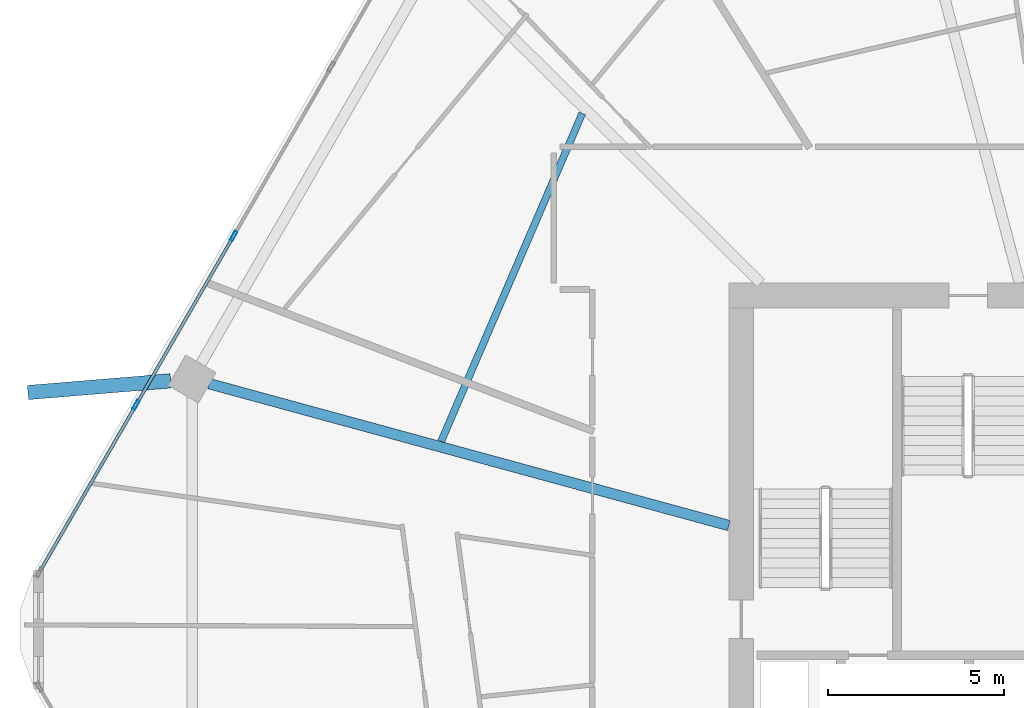
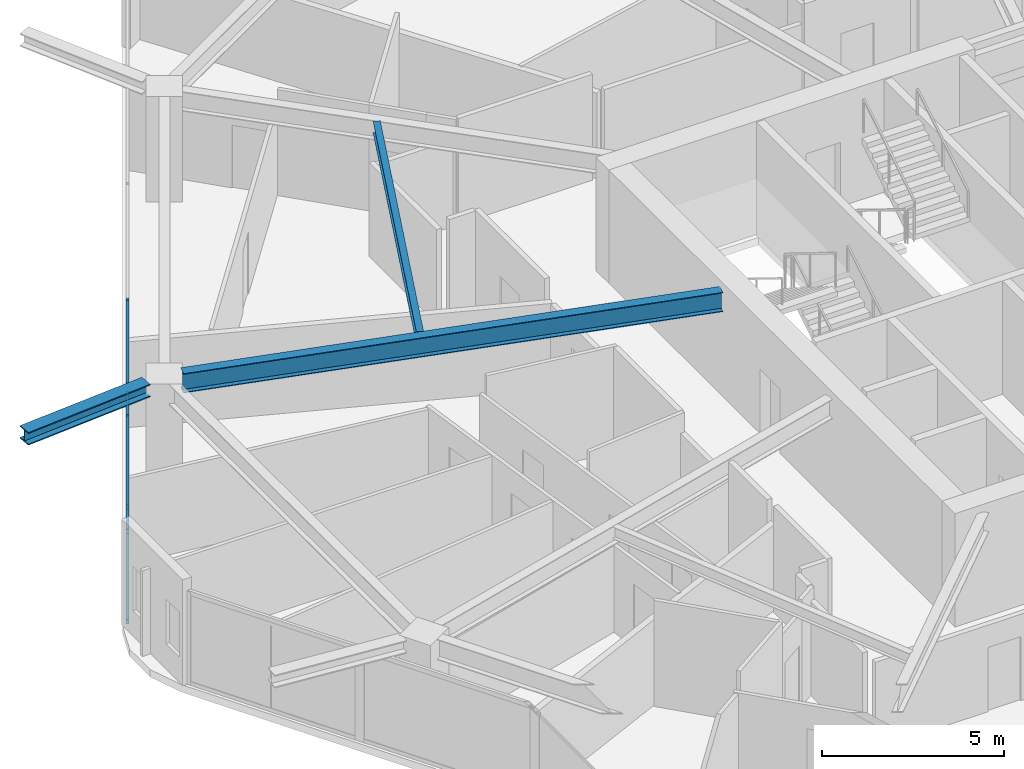
# One storey, part 10 of 27: 6 members, 3 beams, 1 element without a shape of its own.
"""IFC4 building model written with IfcOpenShell, lengths in metres."""

from ifc_helpers import new_model, si_unit, direction, frame, origin, origin_2d, place, context, subcontext, project, spatial, hollow_rectangle, i_section, extrude, material, material_profile, profile_set, type_object, element, aggregate, save


model = new_model("IFC4")

# Units and contexts
model_context = context("Model", 3, precision=1e-05, world=origin(), true_north=direction((0.0, 1.0)))
body_context = subcontext(model_context, "Body", "Model", "MODEL_VIEW")
ifc_project = project(units=[si_unit("LENGTHUNIT", "METRE"), si_unit("AREAUNIT", "SQUARE_METRE"), si_unit("VOLUMEUNIT", "CUBIC_METRE"), si_unit("PLANEANGLEUNIT", "RADIAN"), si_unit("MASSUNIT", "GRAM", prefix="KILO")], contexts=[model_context])

# Site, building, storey
site_placement = place(None, origin())
site = spatial("IfcSite", under=ifc_project, at=site_placement, CompositionType="ELEMENT")
building_placement = place(site_placement, origin())
building = spatial("IfcBuilding", under=site, at=building_placement, Name="Zuhravey Tower", CompositionType="ELEMENT")
storey_placement = place(building_placement, frame((0.0, 0.0, 173.199951171875)))
storey = spatial("IfcBuildingStorey", under=building, at=storey_placement, Name="L43", CompositionType="ELEMENT", Elevation=173.199951171875)

# Curtain wall, members
ifc_material_1 = material(Name="Thermally broken anodised aluminium", Category="aluminium")
curtain_wall_type = type_object("IfcCurtainWallType", Name="Zone 1-2 Residential Curtain Wall CW3", PredefinedType="NOTDEFINED", material=ifc_material_1)
curtain_wall_placement = place(storey_placement, origin())
curtain_wall = element("IfcCurtainWall", 1, at=curtain_wall_placement, inside=storey, type_object=curtain_wall_type, Name="L43 CW3 CW-L43-F3-1", PredefinedType="NOTDEFINED")
ifc_material_2 = material(Name="Anodised aluminium", Category="aluminium")
ifc_material_profile_1 = material_profile(ifc_material_2, hollow_rectangle(XDim=0.090087890625, YDim=0.284912109375, WallThickness=0.0048828125, at=origin_2d()), Name="ALU-RHS-90x285x5")
ifc_profile_set_1 = profile_set([ifc_material_profile_1], Name="Anodised aluminium")
member_type_1 = type_object("IfcMemberType", Name="Curtain-Wall Mullion 90x180", PredefinedType="MULLION", material=ifc_profile_set_1)
member_1_placement = place(storey_placement, frame((8.300537109375, 38.38916015625, 0.0), z_axis=(0.0, 0.0, 1.0), x_axis=(-0.866025138215, 0.500000459979, 0.0)))
member_1 = element("IfcMember", 2, at=member_1_placement, type_object=member_type_1, Name="CW3 mullion 2", PredefinedType="MULLION", context=body_context, shape_type="SweptSolid", body=[
    extrude(hollow_rectangle(XDim=0.090087890625, YDim=0.284912109375, WallThickness=0.0048828125, at=origin_2d()), origin(), (0.0, 0.0, 1.0), 3.1220703125),
])
member_2_placement = place(storey_placement, frame((11.07275390625, 43.190673828125, 0.0), z_axis=(0.0, 0.0, 1.0), x_axis=(-0.866025138215, 0.500000459979, 0.0)))
member_2 = element("IfcMember", 3, at=member_2_placement, type_object=member_type_1, Name="CW3 mullion 3", PredefinedType="MULLION", context=body_context, shape_type="SweptSolid", body=[
    extrude(hollow_rectangle(XDim=0.090087890625, YDim=0.284912109375, WallThickness=0.0048828125, at=origin_2d()), origin(), (0.0, 0.0, 1.0), 3.1220703125),
])
ifc_material_profile_2 = material_profile(ifc_material_2, hollow_rectangle(XDim=0.090087890625, YDim=0.14990234375, WallThickness=0.0048828125, at=origin_2d()), Name="ALU-RHS-90x150x5")
ifc_profile_set_2 = profile_set([ifc_material_profile_2], Name="Anodised aluminium")
member_type_2 = type_object("IfcMemberType", Name="Curtain-Wall Transom 90x150", PredefinedType="USERDEFINED", material=ifc_profile_set_2)
member_3_placement = place(storey_placement, frame((5.5732421875, 33.66552734375, 0.045166015625), z_axis=(0.499993332629, 0.866029253159, 0.0), x_axis=(-0.866029253159, 0.499993332629, 0.0)))
member_3 = element("IfcMember", 4, at=member_3_placement, type_object=member_type_2, Name="CW3 transom 1.1", ObjectType="TRANSOM", PredefinedType="USERDEFINED", context=body_context, shape_type="SweptSolid", body=[
    extrude(hollow_rectangle(XDim=0.090087890625, YDim=0.14990234375, WallThickness=0.0048828125, at=origin_2d()), origin(), (0.0, 0.0, 1.0), 5.4091796875),
])
member_4_placement = place(storey_placement, frame((5.5732421875, 33.66552734375, 3.0771484375), z_axis=(0.499993332629, 0.866029253159, 0.0), x_axis=(-0.866029253159, 0.499993332629, 0.0)))
member_4 = element("IfcMember", 5, at=member_4_placement, type_object=member_type_2, Name="CW3 transom 1.2", ObjectType="TRANSOM", PredefinedType="USERDEFINED", context=body_context, shape_type="SweptSolid", body=[
    extrude(hollow_rectangle(XDim=0.090087890625, YDim=0.14990234375, WallThickness=0.0048828125, at=origin_2d()), origin(), (0.0, 0.0, 1.0), 5.4091796875),
])
member_5_placement = place(storey_placement, frame((8.322998046875, 38.427978515625, 0.045166015625), z_axis=(0.49996138257, 0.86604769842, 0.0), x_axis=(-0.86604769842, 0.49996138257, 0.0)))
member_5 = element("IfcMember", 6, at=member_5_placement, type_object=member_type_2, Name="CW3 transom 2.1", ObjectType="TRANSOM", PredefinedType="USERDEFINED", context=body_context, shape_type="SweptSolid", body=[
    extrude(hollow_rectangle(XDim=0.090087890625, YDim=0.14990234375, WallThickness=0.0048828125, at=origin_2d()), origin(), (0.0, 0.0, 1.0), 5.45458984375),
])
member_6_placement = place(storey_placement, frame((8.322998046875, 38.427978515625, 3.0771484375), z_axis=(0.49996138257, 0.86604769842, 0.0), x_axis=(-0.86604769842, 0.49996138257, 0.0)))
member_6 = element("IfcMember", 7, at=member_6_placement, type_object=member_type_2, Name="CW3 transom 2.2", ObjectType="TRANSOM", PredefinedType="USERDEFINED", context=body_context, shape_type="SweptSolid", body=[
    extrude(hollow_rectangle(XDim=0.090087890625, YDim=0.14990234375, WallThickness=0.0048828125, at=origin_2d()), origin(), (0.0, 0.0, 1.0), 5.45458984375),
])
aggregate(curtain_wall, [member_1, member_2, member_3, member_4, member_5, member_6])

# Beams
ifc_material_3 = material(Name="Steel SM460", Category="steel")
ifc_material_profile_3 = material_profile(ifc_material_3, i_section(OverallWidth=0.406982421875, OverallDepth=0.427978515625, WebThickness=0.02001953125, FlangeThickness=0.034912109375, at=origin_2d()), Name="H-428x407x20x35")
ifc_profile_set_3 = profile_set([ifc_material_profile_3], Name="Steel SM460")
beam_type_1 = type_object("IfcBeamType", Name="Exoskeleton Node Tie Beam H428x407", PredefinedType="BEAM", material=ifc_profile_set_3)
beam_1_placement = place(storey_placement, frame((9.2822265625, 39.076416015625, 3.3359375), z_axis=(-0.99663376745, -0.081982519953, 0.0), x_axis=(0.081982519953, -0.99663376745, 0.0)))
element("IfcBeam", 8, at=beam_1_placement, inside=storey, type_object=beam_type_1, Name="L43 Exoskeleton Node Tie NT1-06", PredefinedType="BEAM", context=body_context, shape_type="SweptSolid", body=[
    extrude(i_section(OverallWidth=0.406982421875, OverallDepth=0.427978515625, WebThickness=0.02001953125, FlangeThickness=0.034912109375, at=origin_2d()), origin(), (0.0, 0.0, 1.0), 4.06787109375),
])
ifc_material_4 = material(Name="Steel SM355", Category="steel")
ifc_material_profile_4 = material_profile(ifc_material_4, i_section(OverallWidth=0.300048828125, OverallDepth=0.64990234375, WebThickness=0.012939453125, FlangeThickness=0.02197265625, at=origin_2d()), Name="H-650x300x13x22")
ifc_profile_set_4 = profile_set([ifc_material_profile_4], Name="Steel SM355")
beam_type_2 = type_object("IfcBeamType", Name="Radial Primary Girder H650x300", PredefinedType="BEAM", material=ifc_profile_set_4)
beam_2_placement = place(storey_placement, frame((25.14697265625, 34.96240234375, 3.22509765625), z_axis=(-0.964701601771, 0.263345437667, 0.0), x_axis=(-0.263345437667, -0.964701601771, 0.0)))
element("IfcBeam", 9, at=beam_2_placement, inside=storey, type_object=beam_type_2, Name="L43 RG2 BM-L43-RAD-06", PredefinedType="BEAM", context=body_context, shape_type="SweptSolid", body=[
    extrude(i_section(OverallWidth=0.300048828125, OverallDepth=0.64990234375, WebThickness=0.012939453125, FlangeThickness=0.02197265625, at=origin_2d()), origin(), (0.0, 0.0, 1.0), 15.309814453125),
])
ifc_material_profile_5 = material_profile(ifc_material_4, i_section(OverallWidth=0.199951171875, OverallDepth=0.39990234375, WebThickness=0.008056640625, FlangeThickness=0.012939453125, at=origin_2d()), Name="H-400x200x8x13")
ifc_profile_set_5 = profile_set([ifc_material_profile_5], Name="Steel SM355")
beam_type_3 = type_object("IfcBeamType", Name="Secondary Floor Joist H400x200", PredefinedType="JOIST", material=ifc_profile_set_5)
beam_3_placement = place(storey_placement, frame((20.982421875, 46.676025390625, 3.35009765625), z_axis=(-0.395265853487, -0.918566766799, 0.0), x_axis=(0.918566766799, -0.395265853487, 0.0)))
element("IfcBeam", 10, at=beam_3_placement, inside=storey, type_object=beam_type_3, Name="L43 SJ2 BM-L43-SJ-05-1", PredefinedType="JOIST", context=body_context, shape_type="SweptSolid", body=[
    extrude(i_section(OverallWidth=0.199951171875, OverallDepth=0.39990234375, WebThickness=0.008056640625, FlangeThickness=0.012939453125, at=origin_2d()), origin(), (0.0, 0.0, 1.0), 10.150146484375),
])

save(model, "model.ifc")
